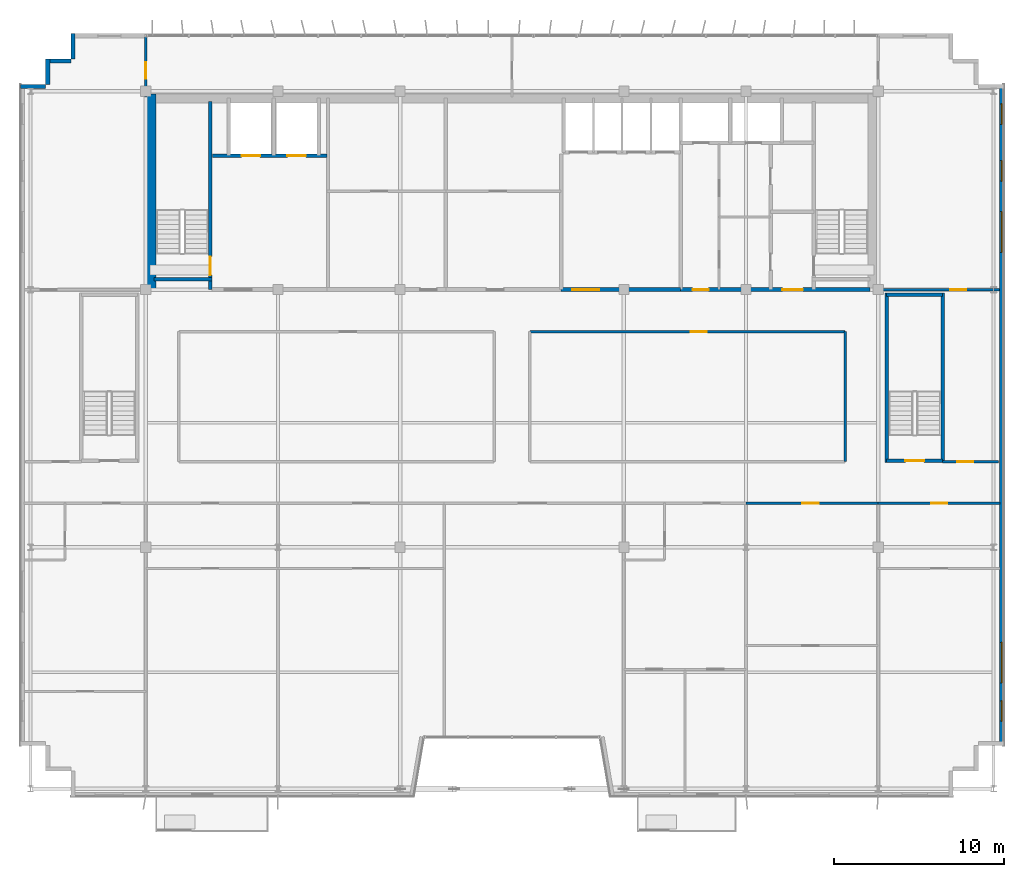
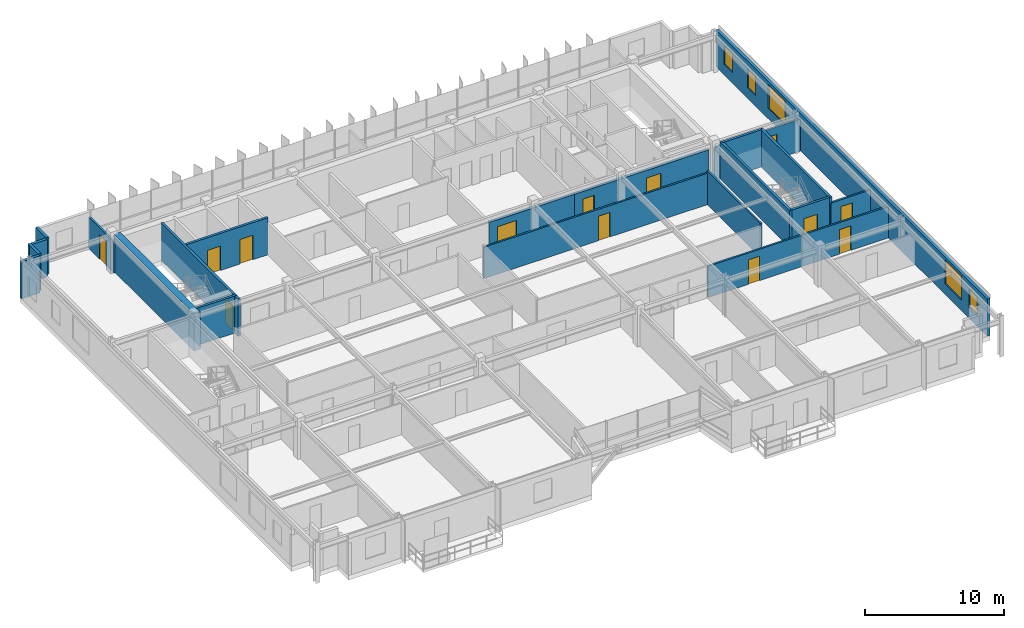
# One storey, part 23 of 28: 22 walls, 13 doors, 5 windows, 18 openings.
"""IFC4 building model written with IfcOpenShell, lengths in metres."""

import ifcopenshell
import ifcopenshell.guid

model = None  # the IFC model being written
_history = None  # IfcOwnerHistory: only IFC2X3 demands one
_inside = {}  # id of a spatial element -> (the spatial element, [elements in it])
_under = {}  # id of a project, library or spatial element -> (it, [spatial elements below it])
_declared = {}  # id of a project -> (the project, [libraries it declares])
_typed = {}  # id of a type object -> (the type object, [elements of that type])
_made_of = {}  # id of a material, layer set ... -> (it, [elements and type objects made of it])


def new_model(schema):
    """Start an empty IFC model of exactly this schema.

    Asked for "IFC4X3", IfcOpenShell would pick the latest addendum, in which some entities
    have other attributes; the version numbers below select the first issue.
    IFC2X3 requires an IfcOwnerHistory on every rooted entity: one is made here for all.
    """
    global model, _history
    if schema == "IFC4X3":
        model = ifcopenshell.file(schema_version=(4, 3, 0, 0))
    else:
        model = ifcopenshell.file(schema=schema)
    _inside.clear()
    _under.clear()
    _declared.clear()
    _typed.clear()
    _made_of.clear()
    _history = None
    if model.schema == "IFC2X3":
        org = make("IfcOrganization", Name="unknown")
        user = make(
            "IfcPersonAndOrganization",
            ThePerson=make("IfcPerson", FamilyName="unknown"),
            TheOrganization=org,
        )
        app = make(
            "IfcApplication",
            ApplicationDeveloper=org,
            Version="unknown",
            ApplicationFullName="unknown",
            ApplicationIdentifier="unknown",
        )
        _history = make(
            "IfcOwnerHistory",
            OwningUser=user,
            OwningApplication=app,
            ChangeAction="ADDED",
            CreationDate=0,
        )
    return model


def make(cls, **values):
    """One entity of the class cls with the attributes given. An attribute that is None is left unset."""
    return model.create_entity(
        cls, **{name: value for name, value in values.items() if value is not None}
    )


def rooted(cls, **values):
    """An entity with a GlobalId (a new one), such as an element, a storey or a relation."""
    return make(cls, GlobalId=ifcopenshell.guid.new(), OwnerHistory=_history, **values)


def si_unit(unit_type, name, prefix=None):
    """IfcSIUnit, for example si_unit("LENGTHUNIT", "METRE", prefix="MILLI")."""
    return make("IfcSIUnit", UnitType=unit_type, Prefix=prefix, Name=name)


def assignment(units):
    """IfcUnitAssignment: the units of a project."""
    return None if units is None else make("IfcUnitAssignment", Units=units)


def point(xyz):
    """IfcCartesianPoint."""
    return None if xyz is None else make("IfcCartesianPoint", Coordinates=xyz)


def direction(xyz):
    """IfcDirection."""
    return None if xyz is None else make("IfcDirection", DirectionRatios=xyz)


def frame(location, z_axis=None, x_axis=None):
    """IfcAxis2Placement3D, a coordinate frame: its origin and axes. An axis left out is left unset."""
    return make(
        "IfcAxis2Placement3D",
        Location=point(location),
        Axis=direction(z_axis),
        RefDirection=direction(x_axis),
    )


def frame_2d(location, x_axis=None):
    """IfcAxis2Placement2D, a coordinate frame in the plane: its origin and x axis."""
    return make(
        "IfcAxis2Placement2D", Location=point(location), RefDirection=direction(x_axis)
    )


def origin():
    """The frame at (0, 0, 0) with its axes left unset."""
    return frame((0.0, 0.0, 0.0))


def place(relative_to, where):
    """IfcLocalPlacement: puts the frame where relative to a parent placement (None: the world)."""
    return make(
        "IfcLocalPlacement", PlacementRelTo=relative_to, RelativePlacement=where
    )


def context(
    kind, dimensions, precision=None, world=None, true_north=None, identifier=None
):
    """IfcGeometricRepresentationContext, for example the 3D "Model" context."""
    return make(
        "IfcGeometricRepresentationContext",
        ContextIdentifier=identifier,
        ContextType=kind,
        CoordinateSpaceDimension=dimensions,
        Precision=precision,
        WorldCoordinateSystem=world,
        TrueNorth=true_north,
    )


def subcontext(parent, identifier, kind, view, scale=None):
    """IfcGeometricRepresentationSubContext, for example "Body" below "Model"."""
    return make(
        "IfcGeometricRepresentationSubContext",
        ContextIdentifier=identifier,
        ContextType=kind,
        ParentContext=parent,
        TargetScale=scale,
        TargetView=view,
    )


def project(units=None, contexts=None):
    """IfcProject with its units and contexts."""
    return rooted(
        "IfcProject",
        Name="project",
        RepresentationContexts=contexts,
        UnitsInContext=assignment(units),
    )


def spatial(cls, under=None, at=None, **own):
    """A site, building, storey or space (cls), placed at a placement, below another one or the project."""
    s = rooted(cls, ObjectPlacement=at, **own)
    if under is not None:
        _under.setdefault(under.id(), (under, []))[1].append(s)
    return s


def profile(cls, at=None, kind="AREA", **sizes):
    """A parametric profile (cls). Its sizes go by their IFC names, for example OverallWidth=200.0."""
    return make(cls, ProfileType=kind, Position=at, **sizes)


def rectangle(**sizes):
    """IfcRectangleProfileDef."""
    return profile("IfcRectangleProfileDef", **sizes)


def extrude(swept, where, along, depth):
    """IfcExtrudedAreaSolid: the profile swept, set in the frame where, extruded along a direction by depth."""
    return make(
        "IfcExtrudedAreaSolid",
        SweptArea=swept,
        Position=where,
        ExtrudedDirection=direction(along),
        Depth=depth,
    )


def shape(context_of_items, identifier, shape_type, items):
    """IfcShapeRepresentation: the items that make up one representation, for example the "Body"."""
    return make(
        "IfcShapeRepresentation",
        ContextOfItems=context_of_items,
        RepresentationIdentifier=identifier,
        RepresentationType=shape_type,
        Items=items,
    )


def source(mapping_origin, context_of_items, identifier, shape_type, items):
    """IfcRepresentationMap: a shape defined once, which mapped items show again and again."""
    return make(
        "IfcRepresentationMap",
        MappingOrigin=mapping_origin,
        MappedRepresentation=shape(context_of_items, identifier, shape_type, items),
    )


def transform(
    local_origin,
    x_axis=None,
    y_axis=None,
    z_axis=None,
    scale=None,
    scale2=None,
    scale3=None,
    uniform=True,
):
    """IfcCartesianTransformationOperator3D, or its non-uniform kind. x_axis, y_axis, z_axis: its Axis1, 2, 3."""
    if uniform:
        return make(
            "IfcCartesianTransformationOperator3D",
            Axis1=direction(x_axis),
            Axis2=direction(y_axis),
            LocalOrigin=point(local_origin),
            Scale=scale,
            Axis3=direction(z_axis),
        )
    return make(
        "IfcCartesianTransformationOperator3DnonUniform",
        Axis1=direction(x_axis),
        Axis2=direction(y_axis),
        LocalOrigin=point(local_origin),
        Scale=scale,
        Axis3=direction(z_axis),
        Scale2=scale2,
        Scale3=scale3,
    )


def mapped(mapping_source, mapping_target):
    """IfcMappedItem: shows the shape of a source again, moved by a transform."""
    return make(
        "IfcMappedItem", MappingSource=mapping_source, MappingTarget=mapping_target
    )


def material(Name=None, Category=None):
    """IfcMaterial."""
    return make("IfcMaterial", Name=Name, Category=Category)


def layer(
    of_material, thickness, ventilated=None, Name=None, Category=None, Priority=None
):
    """IfcMaterialLayer: one layer of a wall or slab, of a material (None: an air gap)."""
    return make(
        "IfcMaterialLayer",
        Material=of_material,
        LayerThickness=thickness,
        IsVentilated=ventilated,
        Name=Name,
        Category=Category,
        Priority=Priority,
    )


def layer_set(layers, Name=None):
    """IfcMaterialLayerSet."""
    return make("IfcMaterialLayerSet", MaterialLayers=layers, LayerSetName=Name)


def made_of(thing, what):
    """Note that an element or type object is made of a material, layer set ...; save() writes the relation."""
    if what is not None:
        _made_of.setdefault(what.id(), (what, []))[1].append(thing)
    return thing


def type_object(cls, material=None, **own):
    """A type object (cls), such as IfcWallType, which elements share."""
    return made_of(rooted(cls, **own), material)


def element(
    cls,
    number,
    at=None,
    inside=None,
    cuts=None,
    type_object=None,
    material=None,
    context=None,
    identifier="Body",
    shape_type=None,
    held_by="IfcProductDefinitionShape",
    body=None,
    shapes=None,
    **own,
):
    """One element of the class cls, such as IfcWall. Its Tag is "e" and its number.

    at: its placement. inside: the storey or other place that contains it. cuts: it is an
    opening in that element (IfcRelVoidsElement). A single representation is given by context,
    identifier, shape_type and body (its items); several are given by shapes. held_by: the class
    of the entity that holds the representations. save() writes the other relations.
    """
    e = rooted(cls, Tag="e%d" % number, ObjectPlacement=at, **own)
    if body is not None:
        shapes = [shape(context, identifier, shape_type, body)]
    if shapes is not None:
        e.Representation = make(held_by, Representations=shapes)
    if inside is not None:
        _inside.setdefault(inside.id(), (inside, []))[1].append(e)
    if cuts is not None:
        rooted(
            "IfcRelVoidsElement", RelatingBuildingElement=cuts, RelatedOpeningElement=e
        )
    if type_object is not None:
        _typed.setdefault(type_object.id(), (type_object, []))[1].append(e)
    return made_of(e, material)


def fill(opening, filler):
    """IfcRelFillsElement: the door or window that sits in an opening."""
    return rooted(
        "IfcRelFillsElement",
        RelatingOpeningElement=opening,
        RelatedBuildingElement=filler,
    )


def aggregate(whole, parts):
    """IfcRelAggregates: a whole, such as a stair, and the parts it consists of."""
    return rooted("IfcRelAggregates", RelatingObject=whole, RelatedObjects=parts)


def save(model, path):
    """Write the relations noted so far, then the file.

    IfcRelAggregates (storeys below a building ...), IfcRelContainedInSpatialStructure (elements
    in a storey), IfcRelDefinesByType, IfcRelAssociatesMaterial and IfcRelDeclares: one each for
    every whole, place, type object, material and project.
    """
    for whole, parts in _under.values():
        aggregate(whole, parts)
    for where, things in _inside.values():
        rooted(
            "IfcRelContainedInSpatialStructure",
            RelatedElements=things,
            RelatingStructure=where,
        )
    for kind, things in _typed.values():
        rooted("IfcRelDefinesByType", RelatedObjects=things, RelatingType=kind)
    for what, things in _made_of.values():
        rooted("IfcRelAssociatesMaterial", RelatedObjects=things, RelatingMaterial=what)
    for by, libraries in _declared.values():
        rooted("IfcRelDeclares", RelatingContext=by, RelatedDefinitions=libraries)
    model.write(path)


model = new_model("IFC4")

# Units and contexts
model_context = context("Model", 3, precision=1e-05, world=origin(), true_north=direction((0.0, 1.0)))
body_context = subcontext(model_context, "Body", "Model", "MODEL_VIEW")
ifc_project = project(units=[si_unit("LENGTHUNIT", "METRE"), si_unit("AREAUNIT", "SQUARE_METRE"), si_unit("VOLUMEUNIT", "CUBIC_METRE"), si_unit("PLANEANGLEUNIT", "RADIAN"), si_unit("MASSUNIT", "GRAM", prefix="KILO")], contexts=[model_context])

# Site, building, storey
site_placement = place(None, origin())
site = spatial("IfcSite", under=ifc_project, at=site_placement, CompositionType="ELEMENT")
building_placement = place(site_placement, origin())
building = spatial("IfcBuilding", under=site, at=building_placement, Name="Trelvane Seafront Commons", CompositionType="ELEMENT")
storey_placement = place(building_placement, frame((0.0, 0.0, 295.5)))
storey = spatial("IfcBuildingStorey", under=building, at=storey_placement, Name="L77", CompositionType="ELEMENT", Elevation=295.5)

# Walls
ifc_material_1 = material(Name="Precast concrete C40/50", Category="concrete")
ifc_layer_1 = layer(ifc_material_1, 0.239990234375, Name="ARCH-WALL-EXT240")
ifc_layer_set_1 = layer_set([ifc_layer_1], Name="Precast concrete C40/50")
wall_type_1 = type_object("IfcWallType", Name="ARCH-WALL-EXT240", PredefinedType="SOLIDWALL", material=ifc_layer_set_1)
for number, where, z_axis, x_axis, name in (
    (1, (8.199951171875, 45.3798828125, 0.0), (0.0, 0.0, 1.0), (1.0, 0.0, 0.0), "EW-L77-01563"),
    (2, (9.820068359375, 45.5, 0.0), (0.0, 0.0, 1.0), (0.0, 1.0, 0.0), "EW-L77-01564"),
    (3, (9.699951171875, 46.8798828125, 0.0), (0.0, 0.0, 1.0), (1.0, 0.0, 0.0), "EW-L77-01565"),
    (4, (11.320068359375, 47.0, 0.0), (0.0, 0.0, 1.0), (0.0, 1.0, 0.0), "EW-L77-01566"),
):
    element("IfcWall", number, at=place(storey_placement, frame(where, z_axis=z_axis, x_axis=x_axis)), inside=storey, type_object=wall_type_1, Name=name, PredefinedType="SOLIDWALL", context=body_context, shape_type="SweptSolid", body=[
        extrude(rectangle(XDim=1.5, YDim=0.239990234375, at=frame_2d((0.75, 0.0))), origin(), (0.0, 0.0, 1.0), 3.260009765625),
    ])

# Wall, openings, windows
wall_1_placement = place(storey_placement, frame((66.080078125, 45.5, 0.0), z_axis=(0.0, 0.0, 1.0), x_axis=(0.0, -1.0, 0.0)))
wall_1 = element("IfcWall", 5, at=wall_1_placement, inside=storey, type_object=wall_type_1, Name="EW-L77-01571", PredefinedType="SOLIDWALL", context=body_context, shape_type="SweptSolid", body=[
    extrude(rectangle(XDim=39.0, YDim=0.239990234375, at=frame_2d((19.5, 0.0))), origin(), (0.0, 0.0, 1.0), 3.260009765625),
])
opening_1_placement = place(wall_1_placement, frame((36.35009765625, 0.0, 0.919921875)))
opening_1 = element("IfcOpeningElement", 6, at=opening_1_placement, cuts=wall_1, Name="Opening W05", PredefinedType="OPENING", context=body_context, shape_type="SweptSolid", body=[
    extrude(rectangle(XDim=1.199951171875, YDim=1.64990234375, at=frame_2d((0.60009765625, 0.824951171875))), frame((0.0, 0.1298828125, 0.0), z_axis=(0.0, -1.0, 0.0), x_axis=(1.0, 0.0, 0.0)), (0.0, 0.0, 1.0), 0.260009765625),
])
opening_2_placement = place(wall_1_placement, frame((32.89990234375, 0.0, 0.919921875)))
opening_2 = element("IfcOpeningElement", 7, at=opening_2_placement, cuts=wall_1, Name="Opening W08", PredefinedType="OPENING", context=body_context, shape_type="SweptSolid", body=[
    extrude(rectangle(XDim=2.39990234375, YDim=2.10009765625, at=frame_2d((1.199951171875, 1.050048828125))), frame((0.0, 0.1298828125, 0.0), z_axis=(0.0, -1.0, 0.0), x_axis=(1.0, 0.0, 0.0)), (0.0, 0.0, 1.0), 0.260009765625),
])
opening_3_placement = place(wall_1_placement, frame((7.5, 0.0, 0.919921875)))
opening_3 = element("IfcOpeningElement", 8, at=opening_3_placement, cuts=wall_1, Name="Opening W08", PredefinedType="OPENING", context=body_context, shape_type="SweptSolid", body=[
    extrude(rectangle(XDim=2.39990234375, YDim=2.10009765625, at=frame_2d((1.199951171875, 1.050048828125))), frame((0.0, 0.1298828125, 0.0), z_axis=(0.0, -1.0, 0.0), x_axis=(1.0, 0.0, 0.0)), (0.0, 0.0, 1.0), 0.260009765625),
])
opening_4_placement = place(wall_1_placement, frame((4.5, 0.0, 0.919921875)))
opening_4 = element("IfcOpeningElement", 9, at=opening_4_placement, cuts=wall_1, Name="Opening W05", PredefinedType="OPENING", context=body_context, shape_type="SweptSolid", body=[
    extrude(rectangle(XDim=1.199951171875, YDim=1.64990234375, at=frame_2d((0.60009765625, 0.824951171875))), frame((0.0, 0.1298828125, 0.0), z_axis=(0.0, -1.0, 0.0), x_axis=(1.0, 0.0, 0.0)), (0.0, 0.0, 1.0), 0.260009765625),
])
opening_5_placement = place(wall_1_placement, frame((1.14990234375, 0.0, 0.919921875)))
opening_5 = element("IfcOpeningElement", 10, at=opening_5_placement, cuts=wall_1, Name="Opening W05", PredefinedType="OPENING", context=body_context, shape_type="SweptSolid", body=[
    extrude(rectangle(XDim=1.199951171875, YDim=1.64990234375, at=frame_2d((0.60009765625, 0.824951171875))), frame((0.0, 0.1298828125, 0.0), z_axis=(0.0, -1.0, 0.0), x_axis=(1.0, 0.0, 0.0)), (0.0, 0.0, 1.0), 0.260009765625),
])
ifc_material_2 = material(Name="Low-E coastal double glazing", Category="glass")
window_type_1 = type_object("IfcWindowType", Name="ARCH-WIN-W08", PartitioningType="SINGLE_PANEL", PredefinedType="WINDOW", material=ifc_material_2)
shared_shape_1 = source(origin(), body_context, "Body", "SweptSolid", [
    extrude(rectangle(XDim=2.39990234375, YDim=2.10009765625, at=frame_2d((1.199951171875, 1.050048828125))), frame((0.0, 0.030029296875, 0.0), z_axis=(0.0, -1.0, 0.0), x_axis=(1.0, 0.0, 0.0)), (0.0, 0.0, 1.0), 0.06005859375),
])
window_1_placement = place(opening_2_placement, origin())
window_1 = element("IfcWindow", 11, at=window_1_placement, inside=storey, type_object=window_type_1, Name="WIN-L77-EW-01847", OverallHeight=2.10009765625, OverallWidth=2.39990234375, PartitioningType="SINGLE_PANEL", PredefinedType="WINDOW", context=body_context, shape_type="MappedRepresentation", body=[
    mapped(shared_shape_1, transform((0.0, 0.0, 0.0), x_axis=(1.0, 0.0, 0.0), y_axis=(0.0, 1.0, 0.0), z_axis=(0.0, 0.0, 1.0), scale=1.0)),
])
fill(opening_2, window_1)
window_2_placement = place(opening_3_placement, origin())
window_2 = element("IfcWindow", 12, at=window_2_placement, inside=storey, type_object=window_type_1, Name="WIN-L77-EW-01848", OverallHeight=2.10009765625, OverallWidth=2.39990234375, PartitioningType="SINGLE_PANEL", PredefinedType="WINDOW", context=body_context, shape_type="MappedRepresentation", body=[
    mapped(shared_shape_1, transform((0.0, 0.0, 0.0), x_axis=(1.0, 0.0, 0.0), y_axis=(0.0, 1.0, 0.0), z_axis=(0.0, 0.0, 1.0), scale=1.0)),
])
fill(opening_3, window_2)
window_type_2 = type_object("IfcWindowType", Name="ARCH-WIN-W05", PartitioningType="SINGLE_PANEL", PredefinedType="WINDOW", material=ifc_material_2)
shared_shape_2 = source(origin(), body_context, "Body", "SweptSolid", [
    extrude(rectangle(XDim=1.199951171875, YDim=1.64990234375, at=frame_2d((0.60009765625, 0.824951171875))), frame((0.0, 0.030029296875, 0.0), z_axis=(0.0, -1.0, 0.0), x_axis=(1.0, 0.0, 0.0)), (0.0, 0.0, 1.0), 0.06005859375),
])
window_3_placement = place(opening_1_placement, origin())
window_3 = element("IfcWindow", 13, at=window_3_placement, inside=storey, type_object=window_type_2, Name="WIN-L77-EW-01846", OverallHeight=1.64990234375, OverallWidth=1.199951171875, PartitioningType="SINGLE_PANEL", PredefinedType="WINDOW", context=body_context, shape_type="MappedRepresentation", body=[
    mapped(shared_shape_2, transform((0.0, 0.0, 0.0), x_axis=(1.0, 0.0, 0.0), y_axis=(0.0, 1.0, 0.0), z_axis=(0.0, 0.0, 1.0), scale=1.0)),
])
fill(opening_1, window_3)
window_4_placement = place(opening_4_placement, origin())
window_4 = element("IfcWindow", 14, at=window_4_placement, inside=storey, type_object=window_type_2, Name="WIN-L77-EW-01849", OverallHeight=1.64990234375, OverallWidth=1.199951171875, PartitioningType="SINGLE_PANEL", PredefinedType="WINDOW", context=body_context, shape_type="MappedRepresentation", body=[
    mapped(shared_shape_2, transform((0.0, 0.0, 0.0), x_axis=(1.0, 0.0, 0.0), y_axis=(0.0, 1.0, 0.0), z_axis=(0.0, 0.0, 1.0), scale=1.0)),
])
fill(opening_4, window_4)
window_5_placement = place(opening_5_placement, origin())
window_5 = element("IfcWindow", 15, at=window_5_placement, inside=storey, type_object=window_type_2, Name="WIN-L77-EW-01850", OverallHeight=1.64990234375, OverallWidth=1.199951171875, PartitioningType="SINGLE_PANEL", PredefinedType="WINDOW", context=body_context, shape_type="MappedRepresentation", body=[
    mapped(shared_shape_2, transform((0.0, 0.0, 0.0), x_axis=(1.0, 0.0, 0.0), y_axis=(0.0, 1.0, 0.0), z_axis=(0.0, 0.0, 1.0), scale=1.0)),
])
fill(opening_5, window_5)

# Wall, opening, door
ifc_material_3 = material(Name="Concrete C40/50", Category="concrete")
ifc_layer_2 = layer(ifc_material_3, 0.25, Name="ARCH-WALL-FIRE250")
ifc_layer_set_2 = layer_set([ifc_layer_2], Name="Concrete C40/50")
wall_type_2 = type_object("IfcWallType", Name="ARCH-WALL-FIRE250", PredefinedType="PARTITIONING", material=ifc_layer_set_2)
wall_2_placement = place(storey_placement, frame((40.10009765625, 33.39990234375, 0.0), z_axis=(0.0, 0.0, 1.0), x_axis=(1.0, 0.0, 0.0)))
wall_2 = element("IfcWall", 16, at=wall_2_placement, inside=storey, type_object=wall_type_2, Name="W-L77-CS-PAX-034", PredefinedType="PARTITIONING", context=body_context, shape_type="SweptSolid", body=[
    extrude(rectangle(XDim=7.0498046875, YDim=0.25, at=frame_2d((3.52490234375, 0.0))), origin(), (0.0, 0.0, 1.0), 2.81005859375),
])
opening_6_placement = place(wall_2_placement, frame((0.64990234375, 0.0, 0.0)))
opening_6 = element("IfcOpeningElement", 17, at=opening_6_placement, cuts=wall_2, Name="Opening FD-L77-16", PredefinedType="OPENING", context=body_context, shape_type="SweptSolid", body=[
    extrude(rectangle(XDim=1.60009765625, YDim=2.199951171875, at=frame_2d((0.800048828125, 1.10009765625))), frame((0.0, 0.135009765625, 0.0), z_axis=(0.0, -1.0, 0.0), x_axis=(1.0, 0.0, 0.0)), (0.0, 0.0, 1.0), 0.27001953125),
])
ifc_material_4 = material(Name="Powder-coated aluminium frame", Category="aluminium")
door_type_1 = type_object("IfcDoorType", Name="ARCH-DR-FD60-1600", OperationType="DOUBLE_DOOR_SINGLE_SWING", PredefinedType="DOOR", material=ifc_material_4)
shared_shape_3 = source(origin(), body_context, "Body", "SweptSolid", [
    extrude(rectangle(XDim=1.60009765625, YDim=2.199951171875, at=frame_2d((0.800048828125, 1.10009765625))), frame((0.0, 0.02490234375, 0.0), z_axis=(0.0, -1.0, 0.0), x_axis=(1.0, 0.0, 0.0)), (0.0, 0.0, 1.0), 0.050048828125),
])
door_1_placement = place(opening_6_placement, origin())
door_1 = element("IfcDoor", 18, at=door_1_placement, inside=storey, type_object=door_type_1, Name="L77 High-Rise Lift Lobby Double Door", OperationType="DOUBLE_DOOR_SINGLE_SWING", OverallHeight=2.199951171875, OverallWidth=1.60009765625, PredefinedType="DOOR", context=body_context, shape_type="MappedRepresentation", body=[
    mapped(shared_shape_3, transform((0.0, 0.0, 0.0), x_axis=(1.0, 0.0, 0.0), y_axis=(0.0, 1.0, 0.0), z_axis=(0.0, 0.0, 1.0), scale=1.0)),
])
fill(opening_6, door_1)

# Wall, openings, doors
wall_3_placement = place(storey_placement, frame((47.14990234375, 33.39990234375, 0.0), z_axis=(0.0, 0.0, 1.0), x_axis=(1.0, 0.0, 0.0)))
wall_3 = element("IfcWall", 19, at=wall_3_placement, inside=storey, type_object=wall_type_2, Name="W-L77-CS-EAST-042", PredefinedType="PARTITIONING", context=body_context, shape_type="SweptSolid", body=[
    extrude(rectangle(XDim=11.150146484375, YDim=0.25, at=frame_2d((5.5751953125, 0.0))), origin(), (0.0, 0.0, 1.0), 2.81005859375),
])
opening_7_placement = place(wall_3_placement, frame((0.699951171875, 0.0, 0.0)))
opening_7 = element("IfcOpeningElement", 20, at=opening_7_placement, cuts=wall_3, Name="Opening FD-L77-23", PredefinedType="OPENING", context=body_context, shape_type="SweptSolid", body=[
    extrude(rectangle(XDim=0.949951171875, YDim=2.14990234375, at=frame_2d((0.47509765625, 1.074951171875))), frame((0.0, 0.135009765625, 0.0), z_axis=(0.0, -1.0, 0.0), x_axis=(1.0, 0.0, 0.0)), (0.0, 0.0, 1.0), 0.27001953125),
])
opening_8_placement = place(wall_3_placement, frame((6.0, 0.0, 0.0)))
opening_8 = element("IfcOpeningElement", 21, at=opening_8_placement, cuts=wall_3, Name="Opening FD-L77-24", PredefinedType="OPENING", context=body_context, shape_type="SweptSolid", body=[
    extrude(rectangle(XDim=1.199951171875, YDim=2.14990234375, at=frame_2d((0.60009765625, 1.074951171875))), frame((0.0, 0.135009765625, 0.0), z_axis=(0.0, -1.0, 0.0), x_axis=(1.0, 0.0, 0.0)), (0.0, 0.0, 1.0), 0.27001953125),
])
door_type_2 = type_object("IfcDoorType", Name="ARCH-DR-FD60-950", OperationType="NOTDEFINED", PredefinedType="DOOR", material=ifc_material_4)
shared_shape_4 = source(origin(), body_context, "Body", "SweptSolid", [
    extrude(rectangle(XDim=0.949951171875, YDim=2.14990234375, at=frame_2d((0.47509765625, 1.074951171875))), frame((0.0, 0.02490234375, 0.0), z_axis=(0.0, -1.0, 0.0), x_axis=(1.0, 0.0, 0.0)), (0.0, 0.0, 1.0), 0.050048828125),
])
door_2_placement = place(opening_7_placement, origin())
door_2 = element("IfcDoor", 22, at=door_2_placement, inside=storey, type_object=door_type_2, Name="L77 Core Service Lobby Door", OperationType="SINGLE_SWING_LEFT", OverallHeight=2.14990234375, OverallWidth=0.949951171875, PredefinedType="DOOR", context=body_context, shape_type="MappedRepresentation", body=[
    mapped(shared_shape_4, transform((0.0, 0.0, 0.0), x_axis=(1.0, 0.0, 0.0), y_axis=(0.0, 1.0, 0.0), z_axis=(0.0, 0.0, 1.0), scale=1.0)),
])
fill(opening_7, door_2)
door_type_3 = type_object("IfcDoorType", Name="ARCH-DR-FD60-1200", OperationType="NOTDEFINED", PredefinedType="DOOR", material=ifc_material_4)
shared_shape_5 = source(origin(), body_context, "Body", "SweptSolid", [
    extrude(rectangle(XDim=1.199951171875, YDim=2.14990234375, at=frame_2d((0.60009765625, 1.074951171875))), frame((0.0, 0.02490234375, 0.0), z_axis=(0.0, -1.0, 0.0), x_axis=(1.0, 0.0, 0.0)), (0.0, 0.0, 1.0), 0.050048828125),
])
door_3_placement = place(opening_8_placement, origin())
door_3 = element("IfcDoor", 23, at=door_3_placement, inside=storey, type_object=door_type_3, Name="L77 East Stair Vestibule Fire Door", OperationType="SINGLE_SWING_RIGHT", OverallHeight=2.14990234375, OverallWidth=1.199951171875, PredefinedType="DOOR", context=body_context, shape_type="MappedRepresentation", body=[
    mapped(shared_shape_5, transform((0.0, 0.0, 0.0), x_axis=(1.0, 0.0, 0.0), y_axis=(0.0, 1.0, 0.0), z_axis=(0.0, 0.0, 1.0), scale=1.0)),
])
fill(opening_8, door_3)

# Wall, opening, door
ifc_material_5 = material(Name="Gypsum Drywall Acoustic Partition")
ifc_layer_3 = layer(ifc_material_5, 0.14990234375, Name="ARCH-WALL-PART150")
ifc_layer_set_3 = layer_set([ifc_layer_3], Name="Gypsum Drywall Acoustic Partition")
wall_type_3 = type_object("IfcWallType", Name="ARCH-WALL-PART150", PredefinedType="PARTITIONING", material=ifc_layer_set_3)
wall_4_placement = place(storey_placement, frame((38.25, 30.919921875, 0.0), z_axis=(0.0, 0.0, 1.0), x_axis=(1.0, 0.0, 0.0)))
wall_4 = element("IfcWall", 24, at=wall_4_placement, inside=storey, type_object=wall_type_3, Name="W-L77-L77-ME-N-047", PredefinedType="PARTITIONING", context=body_context, shape_type="SweptSolid", body=[
    extrude(rectangle(XDim=18.60009765625, YDim=0.14990234375, at=frame_2d((9.300048828125, 0.0))), origin(), (0.0, 0.0, 1.0), 2.760009765625),
])
opening_9_placement = place(wall_4_placement, frame((9.5, 0.0, 0.0)))
opening_9 = element("IfcOpeningElement", 25, at=opening_9_placement, cuts=wall_4, Name="Opening D-L77-26", PredefinedType="OPENING", context=body_context, shape_type="SweptSolid", body=[
    extrude(rectangle(XDim=0.949951171875, YDim=2.14990234375, at=frame_2d((0.47509765625, 1.074951171875))), frame((0.0, 0.0849609375, 0.0), z_axis=(0.0, -1.0, 0.0), x_axis=(1.0, 0.0, 0.0)), (0.0, 0.0, 1.0), 0.169921875),
])
ifc_material_6 = material(Name="Acoustic timber door leaf", Category="wood")
door_type_4 = type_object("IfcDoorType", Name="ARCH-DR-INT950", OperationType="NOTDEFINED", PredefinedType="DOOR", material=ifc_material_6)
door_4_placement = place(opening_9_placement, origin())
door_4 = element("IfcDoor", 26, at=door_4_placement, inside=storey, type_object=door_type_4, Name="L77 Door 26", OperationType="SINGLE_SWING_RIGHT", OverallHeight=2.14990234375, OverallWidth=0.949951171875, PredefinedType="DOOR", context=body_context, shape_type="MappedRepresentation", body=[
    mapped(shared_shape_4, transform((0.0, 0.0, 0.0), x_axis=(1.0, 0.0, 0.0), y_axis=(0.0, 1.0, 0.0), z_axis=(0.0, 0.0, 1.0), scale=1.0)),
])
fill(opening_9, door_4)

# Wall
wall_5_placement = place(storey_placement, frame((56.85009765625, 23.25, 0.0), z_axis=(0.0, 0.0, 1.0), x_axis=(0.0, 1.0, 0.0)))
element("IfcWall", 27, at=wall_5_placement, inside=storey, type_object=wall_type_3, Name="W-L77-L77-ME-E-050", PredefinedType="PARTITIONING", context=body_context, shape_type="SweptSolid", body=[
    extrude(rectangle(XDim=7.669921875, YDim=0.14990234375, at=frame_2d((3.8349609375, 0.0))), origin(), (0.0, 0.0, 1.0), 2.9599609375),
])

# Wall, opening, door
wall_6_placement = place(storey_placement, frame((62.60009765625, 23.25, 0.0), z_axis=(0.0, 0.0, 1.0), x_axis=(1.0, 0.0, 0.0)))
wall_6 = element("IfcWall", 28, at=wall_6_placement, inside=storey, type_object=wall_type_3, Name="W-L77-L77-ES-S-052", PredefinedType="PARTITIONING", context=body_context, shape_type="SweptSolid", body=[
    extrude(rectangle(XDim=3.2998046875, YDim=0.14990234375, at=frame_2d((1.64990234375, 0.0))), origin(), (0.0, 0.0, 1.0), 2.760009765625),
])
opening_10_placement = place(wall_6_placement, frame((0.85009765625, 0.0, 0.0)))
opening_10 = element("IfcOpeningElement", 29, at=opening_10_placement, cuts=wall_6, Name="Opening D-L77-28", PredefinedType="OPENING", context=body_context, shape_type="SweptSolid", body=[
    extrude(rectangle(XDim=0.949951171875, YDim=2.14990234375, at=frame_2d((0.47509765625, 1.074951171875))), frame((0.0, 0.0849609375, 0.0), z_axis=(0.0, -1.0, 0.0), x_axis=(1.0, 0.0, 0.0)), (0.0, 0.0, 1.0), 0.169921875),
])
door_5_placement = place(opening_10_placement, origin())
door_5 = element("IfcDoor", 30, at=door_5_placement, inside=storey, type_object=door_type_4, Name="L77 Door 28", OperationType="SINGLE_SWING_RIGHT", OverallHeight=2.14990234375, OverallWidth=0.949951171875, PredefinedType="DOOR", context=body_context, shape_type="MappedRepresentation", body=[
    mapped(shared_shape_4, transform((0.0, 0.0, 0.0), x_axis=(1.0, 0.0, 0.0), y_axis=(0.0, 1.0, 0.0), z_axis=(0.0, 0.0, 1.0), scale=1.0)),
])
fill(opening_10, door_5)

wall_7_placement = place(storey_placement, frame((58.800048828125, 33.39990234375, 0.0), z_axis=(0.0, 0.0, 1.0), x_axis=(1.0, 0.0, 0.0)))
wall_7 = element("IfcWall", 31, at=wall_7_placement, inside=storey, type_object=wall_type_3, Name="W-L77-NE-ENT-054", PredefinedType="PARTITIONING", context=body_context, shape_type="SweptSolid", body=[
    extrude(rectangle(XDim=7.14990234375, YDim=0.14990234375, at=frame_2d((3.574951171875, 0.0))), origin(), (0.0, 0.0, 1.0), 2.81005859375),
])
opening_11_placement = place(wall_7_placement, frame((4.25, 0.0, 0.0)))
opening_11 = element("IfcOpeningElement", 32, at=opening_11_placement, cuts=wall_7, Name="Opening FD-L77-30", PredefinedType="OPENING", context=body_context, shape_type="SweptSolid", body=[
    extrude(rectangle(XDim=0.949951171875, YDim=2.14990234375, at=frame_2d((0.47509765625, 1.074951171875))), frame((0.0, 0.0849609375, 0.0), z_axis=(0.0, -1.0, 0.0), x_axis=(1.0, 0.0, 0.0)), (0.0, 0.0, 1.0), 0.169921875),
])
door_6_placement = place(opening_11_placement, origin())
door_6 = element("IfcDoor", 33, at=door_6_placement, inside=storey, type_object=door_type_2, Name="L77 NE Suite Entrance Door", OperationType="SINGLE_SWING_RIGHT", OverallHeight=2.14990234375, OverallWidth=0.949951171875, PredefinedType="DOOR", context=body_context, shape_type="MappedRepresentation", body=[
    mapped(shared_shape_4, transform((0.0, 0.0, 0.0), x_axis=(1.0, 0.0, 0.0), y_axis=(0.0, 1.0, 0.0), z_axis=(0.0, 0.0, 1.0), scale=1.0)),
])
fill(opening_11, door_6)

wall_8_placement = place(storey_placement, frame((15.60009765625, 44.75, 0.0), z_axis=(0.0, 0.0, 1.0), x_axis=(0.0, 1.0, 0.0)))
wall_8 = element("IfcWall", 34, at=wall_8_placement, inside=storey, type_object=wall_type_3, Name="W-L77-N-LINK-W-056", PredefinedType="PARTITIONING", context=body_context, shape_type="SweptSolid", body=[
    extrude(rectangle(XDim=3.610107421875, YDim=0.14990234375, at=frame_2d((1.80517578125, 0.0))), origin(), (0.0, 0.0, 1.0), 2.760009765625),
])
opening_12_placement = place(wall_8_placement, frame((1.10009765625, 0.0, 0.0)))
opening_12 = element("IfcOpeningElement", 35, at=opening_12_placement, cuts=wall_8, Name="Opening FD-L77-32", PredefinedType="OPENING", context=body_context, shape_type="SweptSolid", body=[
    extrude(rectangle(XDim=0.949951171875, YDim=2.14990234375, at=frame_2d((0.47509765625, 1.074951171875))), frame((0.0, 0.0849609375, 0.0), z_axis=(0.0, -1.0, 0.0), x_axis=(1.0, 0.0, 0.0)), (0.0, 0.0, 1.0), 0.169921875),
])
door_7_placement = place(opening_12_placement, origin())
door_7 = element("IfcDoor", 36, at=door_7_placement, inside=storey, type_object=door_type_2, Name="L77 Door 32", OperationType="SINGLE_SWING_RIGHT", OverallHeight=2.14990234375, OverallWidth=0.949951171875, PredefinedType="DOOR", context=body_context, shape_type="MappedRepresentation", body=[
    mapped(shared_shape_4, transform((0.0, 0.0, 0.0), x_axis=(1.0, 0.0, 0.0), y_axis=(0.0, 1.0, 0.0), z_axis=(0.0, 0.0, 1.0), scale=1.0)),
])
fill(opening_12, door_7)

wall_9_placement = place(storey_placement, frame((51.0, 20.800048828125, 0.0), z_axis=(0.0, 0.0, 1.0), x_axis=(1.0, 0.0, 0.0)))
wall_9 = element("IfcWall", 37, at=wall_9_placement, inside=storey, type_object=wall_type_3, Name="W-L77-CS-BAY-6-079", PredefinedType="PARTITIONING", context=body_context, shape_type="SweptSolid", body=[
    extrude(rectangle(XDim=7.800048828125, YDim=0.14990234375, at=frame_2d((3.89990234375, 0.0))), origin(), (0.0, 0.0, 1.0), 2.760009765625),
])
opening_13_placement = place(wall_9_placement, frame((3.3330078125, 0.0, 0.0)))
opening_13 = element("IfcOpeningElement", 38, at=opening_13_placement, cuts=wall_9, Name="Opening FD-L77-46", PredefinedType="OPENING", context=body_context, shape_type="SweptSolid", body=[
    extrude(rectangle(XDim=0.949951171875, YDim=2.14990234375, at=frame_2d((0.47509765625, 1.074951171875))), frame((0.0, 0.0849609375, 0.0), z_axis=(0.0, -1.0, 0.0), x_axis=(1.0, 0.0, 0.0)), (0.0, 0.0, 1.0), 0.169921875),
])
door_8_placement = place(opening_13_placement, origin())
door_8 = element("IfcDoor", 39, at=door_8_placement, inside=storey, type_object=door_type_2, Name="L77 Bay 06 Entrance Door", OperationType="SINGLE_SWING_RIGHT", OverallHeight=2.14990234375, OverallWidth=0.949951171875, PredefinedType="DOOR", context=body_context, shape_type="MappedRepresentation", body=[
    mapped(shared_shape_4, transform((0.0, 0.0, 0.0), x_axis=(1.0, 0.0, 0.0), y_axis=(0.0, 1.0, 0.0), z_axis=(0.0, 0.0, 1.0), scale=1.0)),
])
fill(opening_13, door_8)

wall_10_placement = place(storey_placement, frame((58.800048828125, 20.800048828125, 0.0), z_axis=(0.0, 0.0, 1.0), x_axis=(1.0, 0.0, 0.0)))
wall_10 = element("IfcWall", 40, at=wall_10_placement, inside=storey, type_object=wall_type_3, Name="W-L77-CS-BAY-7-081", PredefinedType="PARTITIONING", context=body_context, shape_type="SweptSolid", body=[
    extrude(rectangle(XDim=7.175048828125, YDim=0.14990234375, at=frame_2d((3.58740234375, 0.0))), origin(), (0.0, 0.0, 1.0), 2.760009765625),
])
opening_14_placement = place(wall_10_placement, frame((3.112060546875, 0.0, 0.0)))
opening_14 = element("IfcOpeningElement", 41, at=opening_14_placement, cuts=wall_10, Name="Opening FD-L77-48", PredefinedType="OPENING", context=body_context, shape_type="SweptSolid", body=[
    extrude(rectangle(XDim=0.949951171875, YDim=2.14990234375, at=frame_2d((0.47509765625, 1.074951171875))), frame((0.0, 0.0849609375, 0.0), z_axis=(0.0, -1.0, 0.0), x_axis=(1.0, 0.0, 0.0)), (0.0, 0.0, 1.0), 0.169921875),
])
door_9_placement = place(opening_14_placement, origin())
door_9 = element("IfcDoor", 42, at=door_9_placement, inside=storey, type_object=door_type_2, Name="L77 Bay 07 Entrance Door", OperationType="SINGLE_SWING_RIGHT", OverallHeight=2.14990234375, OverallWidth=0.949951171875, PredefinedType="DOOR", context=body_context, shape_type="MappedRepresentation", body=[
    mapped(shared_shape_4, transform((0.0, 0.0, 0.0), x_axis=(1.0, 0.0, 0.0), y_axis=(0.0, 1.0, 0.0), z_axis=(0.0, 0.0, 1.0), scale=1.0)),
])
fill(opening_14, door_9)

# Wall, openings, doors
ifc_layer_4 = layer(ifc_material_3, 0.199951171875, Name="ARCH-WALL-SHAFT200")
ifc_layer_set_4 = layer_set([ifc_layer_4], Name="Concrete C40/50")
wall_type_4 = type_object("IfcWallType", Name="ARCH-WALL-SHAFT200", PredefinedType="SOLIDWALL", material=ifc_layer_set_4)
wall_11_placement = place(storey_placement, frame((19.550048828125, 41.300048828125, 0.0), z_axis=(0.0, 0.0, 1.0), x_axis=(1.0, 0.0, 0.0)))
wall_11 = element("IfcWall", 43, at=wall_11_placement, inside=storey, type_object=wall_type_4, Name="W-L77-FFL-FRONT-016", PredefinedType="SOLIDWALL", context=body_context, shape_type="SweptSolid", body=[
    extrude(rectangle(XDim=6.75, YDim=0.199951171875, at=frame_2d((3.375, 0.0))), origin(), (0.0, 0.0, 1.0), 3.260009765625),
])
opening_15_placement = place(wall_11_placement, frame((1.699951171875, 0.0, 0.0)))
opening_15 = element("IfcOpeningElement", 44, at=opening_15_placement, cuts=wall_11, Name="Opening LD-FF1-L77", PredefinedType="OPENING", context=body_context, shape_type="SweptSolid", body=[
    extrude(rectangle(XDim=1.10009765625, YDim=2.14990234375, at=frame_2d((0.550048828125, 1.074951171875))), frame((0.0, 0.10986328125, 0.0), z_axis=(0.0, -1.0, 0.0), x_axis=(1.0, 0.0, 0.0)), (0.0, 0.0, 1.0), 0.219970703125),
])
opening_16_placement = place(wall_11_placement, frame((4.39990234375, 0.0, 0.0)))
opening_16 = element("IfcOpeningElement", 45, at=opening_16_placement, cuts=wall_11, Name="Opening LD-FF2-L77", PredefinedType="OPENING", context=body_context, shape_type="SweptSolid", body=[
    extrude(rectangle(XDim=1.10009765625, YDim=2.14990234375, at=frame_2d((0.550048828125, 1.074951171875))), frame((0.0, 0.10986328125, 0.0), z_axis=(0.0, -1.0, 0.0), x_axis=(1.0, 0.0, 0.0)), (0.0, 0.0, 1.0), 0.219970703125),
])
ifc_material_7 = material(Name="Stainless steel balustrade", Category="steel")
door_type_5 = type_object("IfcDoorType", Name="ARCH-DR-LD1100", OperationType="DOUBLE_DOOR_SLIDING", PredefinedType="DOOR", material=ifc_material_7)
shared_shape_6 = source(origin(), body_context, "Body", "SweptSolid", [
    extrude(rectangle(XDim=1.10009765625, YDim=2.14990234375, at=frame_2d((0.550048828125, 1.074951171875))), frame((0.0, 0.02490234375, 0.0), z_axis=(0.0, -1.0, 0.0), x_axis=(1.0, 0.0, 0.0)), (0.0, 0.0, 1.0), 0.050048828125),
])
door_10_placement = place(opening_15_placement, origin())
door_10 = element("IfcDoor", 46, at=door_10_placement, inside=storey, type_object=door_type_5, Name="L77 Firefighting Lift FFL-1 Landing Door", OperationType="DOUBLE_DOOR_SLIDING", OverallHeight=2.14990234375, OverallWidth=1.10009765625, PredefinedType="DOOR", context=body_context, shape_type="MappedRepresentation", body=[
    mapped(shared_shape_6, transform((0.0, 0.0, 0.0), x_axis=(1.0, 0.0, 0.0), y_axis=(0.0, 1.0, 0.0), z_axis=(0.0, 0.0, 1.0), scale=1.0)),
])
fill(opening_15, door_10)
door_11_placement = place(opening_16_placement, origin())
door_11 = element("IfcDoor", 47, at=door_11_placement, inside=storey, type_object=door_type_5, Name="L77 Firefighting Lift FFL-2 Landing Door", OperationType="DOUBLE_DOOR_SLIDING", OverallHeight=2.14990234375, OverallWidth=1.10009765625, PredefinedType="DOOR", context=body_context, shape_type="MappedRepresentation", body=[
    mapped(shared_shape_6, transform((0.0, 0.0, 0.0), x_axis=(1.0, 0.0, 0.0), y_axis=(0.0, 1.0, 0.0), z_axis=(0.0, 0.0, 1.0), scale=1.0)),
])
fill(opening_16, door_11)

# Walls
ifc_material_8 = material(Name="Concrete C50/60", Category="concrete")
ifc_layer_5 = layer(ifc_material_8, 0.550048828125, Name="STR-WALL-CORE550")
ifc_layer_set_5 = layer_set([ifc_layer_5], Name="Concrete C50/60")
wall_type_5 = type_object("IfcWallType", Name="STR-WALL-CORE550", PredefinedType="SHEAR", material=ifc_layer_set_5)
wall_12_placement = place(storey_placement, frame((15.925048828125, 33.39990234375, 0.0), z_axis=(0.0, 0.0, 1.0), x_axis=(0.0, 1.0, 0.0)))
element("IfcWall", 48, at=wall_12_placement, inside=storey, type_object=wall_type_5, Name="W-L77-CW-END-002", PredefinedType="SHEAR", context=body_context, shape_type="SweptSolid", body=[
    extrude(rectangle(XDim=11.550048828125, YDim=0.550048828125, at=frame_2d((5.77490234375, 0.0))), origin(), (0.0, 0.0, 1.0), 3.260009765625),
])
ifc_layer_6 = layer(ifc_material_8, 0.199951171875, Name="STR-WALL-STAIR200")
ifc_layer_set_6 = layer_set([ifc_layer_6], Name="Concrete C50/60")
wall_type_6 = type_object("IfcWallType", Name="STR-WALL-STAIR200", PredefinedType="SHEAR", material=ifc_layer_set_6)
wall_13_placement = place(storey_placement, frame((16.10009765625, 34.0, 0.0), z_axis=(0.0, 0.0, 1.0), x_axis=(1.0, 0.0, 0.0)))
element("IfcWall", 49, at=wall_13_placement, inside=storey, type_object=wall_type_6, Name="W-L77-ST1-S-004", PredefinedType="SHEAR", context=body_context, shape_type="SweptSolid", body=[
    extrude(rectangle(XDim=3.39990234375, YDim=0.199951171875, at=frame_2d((1.699951171875, 0.0))), origin(), (0.0, 0.0, 1.0), 3.260009765625),
])

# Wall, opening, door
wall_14_placement = place(storey_placement, frame((19.39990234375, 33.39990234375, 0.0), z_axis=(0.0, 0.0, 1.0), x_axis=(0.0, 1.0, 0.0)))
wall_14 = element("IfcWall", 50, at=wall_14_placement, inside=storey, type_object=wall_type_6, Name="W-L77-ST1-E-005", PredefinedType="SHEAR", context=body_context, shape_type="SweptSolid", body=[
    extrude(rectangle(XDim=11.10009765625, YDim=0.199951171875, at=frame_2d((5.550048828125, 0.0))), origin(), (0.0, 0.0, 1.0), 3.260009765625),
])
opening_17_placement = place(wall_14_placement, frame((0.85009765625, 0.0, 0.0)))
opening_17 = element("IfcOpeningElement", 51, at=opening_17_placement, cuts=wall_14, Name="Opening ST-D1-L77", PredefinedType="OPENING", context=body_context, shape_type="SweptSolid", body=[
    extrude(rectangle(XDim=1.10009765625, YDim=2.14990234375, at=frame_2d((0.550048828125, 1.074951171875))), frame((0.0, 0.10986328125, 0.0), z_axis=(0.0, -1.0, 0.0), x_axis=(1.0, 0.0, 0.0)), (0.0, 0.0, 1.0), 0.219970703125),
])
door_type_6 = type_object("IfcDoorType", Name="ARCH-DR-FD90-1100", OperationType="NOTDEFINED", PredefinedType="DOOR", material=ifc_material_4)
door_12_placement = place(opening_17_placement, origin())
door_12 = element("IfcDoor", 52, at=door_12_placement, inside=storey, type_object=door_type_6, Name="L77 Stair ST-1 Lobby Fire Door", OperationType="SINGLE_SWING_LEFT", OverallHeight=2.14990234375, OverallWidth=1.10009765625, PredefinedType="DOOR", context=body_context, shape_type="MappedRepresentation", body=[
    mapped(shared_shape_6, transform((0.0, 0.0, 0.0), x_axis=(1.0, 0.0, 0.0), y_axis=(0.0, 1.0, 0.0), z_axis=(0.0, 0.0, 1.0), scale=1.0)),
])
fill(opening_17, door_12)

# Walls
for number, where, z_axis, x_axis, name in (
    (53, (59.300048828125, 23.199951171875, 0.0), (0.0, 0.0, 1.0), (0.0, 1.0, 0.0), "W-L77-ST6-W-012"),
    (54, (62.60009765625, 23.199951171875, 0.0), (0.0, 0.0, 1.0), (0.0, 1.0, 0.0), "W-L77-ST6-E-013"),
):
    element("IfcWall", number, at=place(storey_placement, frame(where, z_axis=z_axis, x_axis=x_axis)), inside=storey, type_object=wall_type_6, Name=name, PredefinedType="SHEAR", context=body_context, shape_type="SweptSolid", body=[
        extrude(rectangle(XDim=10.0, YDim=0.199951171875, at=frame_2d((5.0, 0.0))), origin(), (0.0, 0.0, 1.0), 3.260009765625),
    ])
wall_15_placement = place(storey_placement, frame((59.300048828125, 33.10009765625, 0.0), z_axis=(0.0, 0.0, 1.0), x_axis=(1.0, 0.0, 0.0)))
element("IfcWall", 55, at=wall_15_placement, inside=storey, type_object=wall_type_6, Name="W-L77-ST6-N-014", PredefinedType="SHEAR", context=body_context, shape_type="SweptSolid", body=[
    extrude(rectangle(XDim=3.300048828125, YDim=0.199951171875, at=frame_2d((1.64990234375, 0.0))), origin(), (0.0, 0.0, 1.0), 3.260009765625),
])

# Wall, opening, door
wall_16_placement = place(storey_placement, frame((59.300048828125, 23.300048828125, 0.0), z_axis=(0.0, 0.0, 1.0), x_axis=(1.0, 0.0, 0.0)))
wall_16 = element("IfcWall", 56, at=wall_16_placement, inside=storey, type_object=wall_type_6, Name="W-L77-ST6-S-015", PredefinedType="SHEAR", context=body_context, shape_type="SweptSolid", body=[
    extrude(rectangle(XDim=3.300048828125, YDim=0.199951171875, at=frame_2d((1.64990234375, 0.0))), origin(), (0.0, 0.0, 1.0), 3.260009765625),
])
opening_18_placement = place(wall_16_placement, frame((1.10009765625, 0.0, 0.0)))
opening_18 = element("IfcOpeningElement", 57, at=opening_18_placement, cuts=wall_16, Name="Opening ST-D-ST6-L77", PredefinedType="OPENING", context=body_context, shape_type="SweptSolid", body=[
    extrude(rectangle(XDim=1.10009765625, YDim=2.14990234375, at=frame_2d((0.550048828125, 1.074951171875))), frame((0.0, 0.10986328125, 0.0), z_axis=(0.0, -1.0, 0.0), x_axis=(1.0, 0.0, 0.0)), (0.0, 0.0, 1.0), 0.219970703125),
])
door_13_placement = place(opening_18_placement, origin())
door_13 = element("IfcDoor", 58, at=door_13_placement, inside=storey, type_object=door_type_6, Name="L77 Crown ST6 Fire Door", OperationType="SINGLE_SWING_RIGHT", OverallHeight=2.14990234375, OverallWidth=1.10009765625, PredefinedType="DOOR", context=body_context, shape_type="MappedRepresentation", body=[
    mapped(shared_shape_6, transform((0.0, 0.0, 0.0), x_axis=(1.0, 0.0, 0.0), y_axis=(0.0, 1.0, 0.0), z_axis=(0.0, 0.0, 1.0), scale=1.0)),
])
fill(opening_18, door_13)

save(model, "model.ifc")
